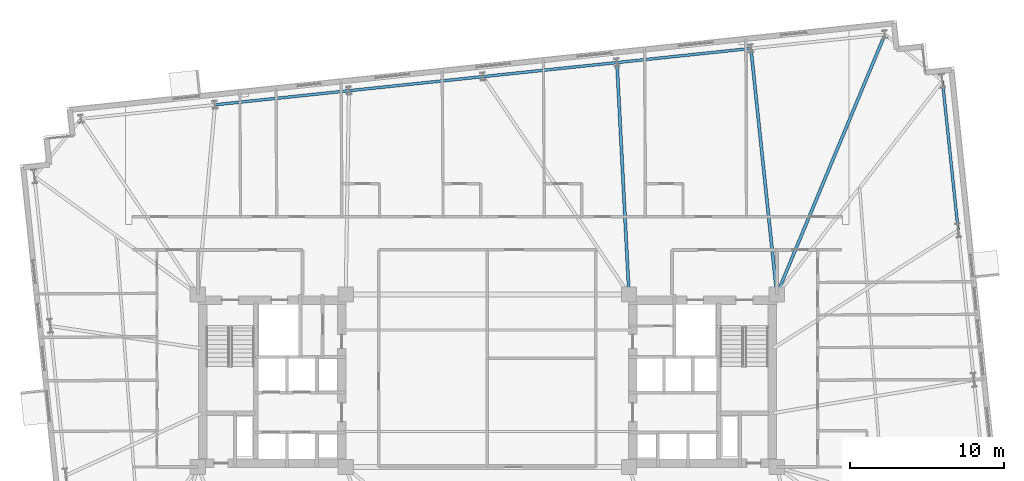
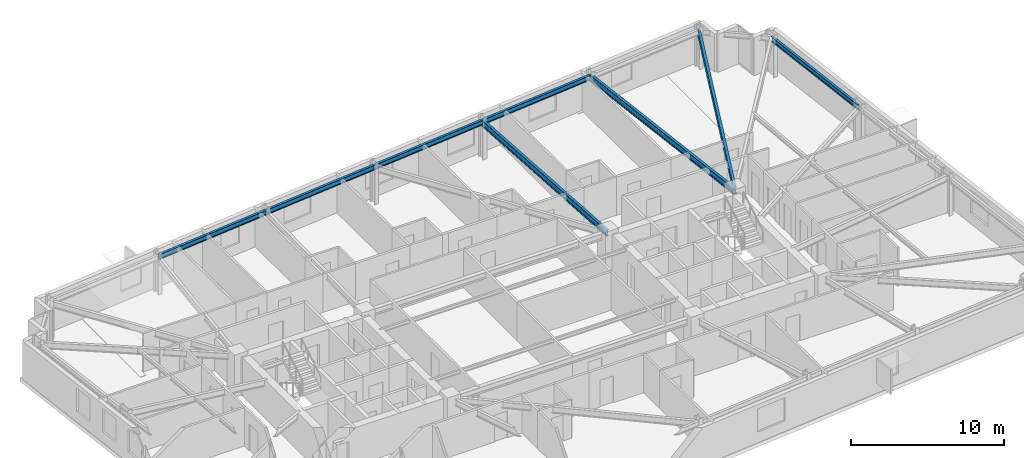
# One storey, part 9 of 20: 8 beams.
"""IFC4 building model written with IfcOpenShell, lengths in metres."""

from ifc_helpers import new_model, si_unit, direction, frame, origin, origin_2d, place, context, subcontext, project, spatial, i_section, extrude, material, material_profile, profile_set, type_object, element, save


model = new_model("IFC4")

# Units and contexts
model_context = context("Model", 3, precision=1e-05, world=origin(), true_north=direction((0.0, 1.0)))
body_context = subcontext(model_context, "Body", "Model", "MODEL_VIEW")
ifc_project = project(units=[si_unit("LENGTHUNIT", "METRE"), si_unit("AREAUNIT", "SQUARE_METRE"), si_unit("VOLUMEUNIT", "CUBIC_METRE"), si_unit("PLANEANGLEUNIT", "RADIAN"), si_unit("MASSUNIT", "GRAM", prefix="KILO")], contexts=[model_context])

# Site, building, storey
site_placement = place(None, origin())
site = spatial("IfcSite", under=ifc_project, at=site_placement, CompositionType="ELEMENT")
building_placement = place(site_placement, origin())
building = spatial("IfcBuilding", under=site, at=building_placement, Name="Qobustan Lattice House", CompositionType="ELEMENT")
storey_placement = place(building_placement, frame((0.0, 0.0, 89.050048828125)))
storey = spatial("IfcBuildingStorey", under=building, at=storey_placement, Name="L24", CompositionType="ELEMENT", Elevation=89.050048828125)

# Beams
ifc_material_1 = material(Name="Steel S355", Category="steel")
ifc_material_profile_1 = material_profile(ifc_material_1, i_section(OverallWidth=0.199951171875, OverallDepth=0.5, WebThickness=0.01025390625, FlangeThickness=0.01611328125, FilletRadius=0.02099609375, at=origin_2d()), Name="IPE500")
ifc_profile_set_1 = profile_set([ifc_material_profile_1], Name="Steel S355")
beam_type_1 = type_object("IfcBeamType", Name="BM-FLG-IPE500", PredefinedType="USERDEFINED", material=ifc_profile_set_1)
beam_1_placement = place(storey_placement, frame((8.41650390625, 20.640625, 2.794921875), z_axis=(0.052023629628, -0.998645854125, 0.0), x_axis=(0.998645854125, 0.052023629628, 0.0)))
element("IfcBeam", 1, at=beam_1_placement, inside=storey, type_object=beam_type_1, Name="L24 primary floor girder RAD-N3", ObjectType="GIRDER", PredefinedType="USERDEFINED", context=body_context, shape_type="SweptSolid", body=[
    extrude(i_section(OverallWidth=0.199951171875, OverallDepth=0.5, WebThickness=0.01025390625, FlangeThickness=0.01611328125, FilletRadius=0.02099609375, at=origin_2d()), origin(), (0.0, 0.0, 1.0), 15.035888671875),
])
beam_2_placement = place(storey_placement, frame((17.1201171875, 21.555419921875, 2.794921875), z_axis=(0.104706999053, -0.994503114298, 0.0), x_axis=(0.994503114298, 0.104706999053, 0.0)))
element("IfcBeam", 2, at=beam_2_placement, inside=storey, type_object=beam_type_1, Name="L24 primary floor girder RAD-N2", ObjectType="GIRDER", PredefinedType="USERDEFINED", context=body_context, shape_type="SweptSolid", body=[
    extrude(i_section(OverallWidth=0.199951171875, OverallDepth=0.5, WebThickness=0.01025390625, FlangeThickness=0.01611328125, FilletRadius=0.02099609375, at=origin_2d()), origin(), (0.0, 0.0, 1.0), 16.0185546875),
])
beam_3_placement = place(storey_placement, frame((25.809814453125, 22.471923828125, 2.794921875), z_axis=(-0.383675501465, -0.923467979724, 0.0), x_axis=(0.923467979724, -0.383675501465, 0.0)))
element("IfcBeam", 3, at=beam_3_placement, inside=storey, type_object=beam_type_1, Name="L24 primary floor girder RAD-N1E", ObjectType="GIRDER", PredefinedType="USERDEFINED", context=body_context, shape_type="SweptSolid", body=[
    extrude(i_section(OverallWidth=0.199951171875, OverallDepth=0.5, WebThickness=0.01025390625, FlangeThickness=0.01611328125, FilletRadius=0.02099609375, at=origin_2d()), origin(), (0.0, 0.0, 1.0), 18.2451171875),
])
ifc_material_2 = material(Name="Steel S355", Category="steel")
ifc_material_profile_2 = material_profile(ifc_material_2, i_section(OverallWidth=0.179931640625, OverallDepth=0.39990234375, WebThickness=0.008544921875, FlangeThickness=0.013427734375, FilletRadius=0.02099609375, at=origin_2d()), Name="IPE400")
ifc_profile_set_2 = profile_set([ifc_material_profile_2], Name="Steel S355")
beam_type_2 = type_object("IfcBeamType", Name="BM-SPD-IPE400", PredefinedType="SPANDREL", material=ifc_profile_set_2)
beam_4_placement = place(storey_placement, frame((30.574462890625, 9.78076171875, 2.844970703125), z_axis=(-0.104525214252, 0.994522236848, 0.0), x_axis=(-0.994522236848, -0.104525214252, 0.0)))
element("IfcBeam", 4, at=beam_4_placement, inside=storey, type_object=beam_type_2, Name="L24 perimeter spandrel E3-E4", PredefinedType="SPANDREL", context=body_context, shape_type="SweptSolid", body=[
    extrude(i_section(OverallWidth=0.179931640625, OverallDepth=0.39990234375, WebThickness=0.008544921875, FlangeThickness=0.013427734375, FilletRadius=0.02099609375, at=origin_2d()), origin(), (0.0, 0.0, 1.0), 9.716552734375),
])
beam_5_placement = place(storey_placement, frame((17.092529296875, 21.577880859375, 2.844970703125), z_axis=(-0.994518668742, -0.104559158006, 0.0), x_axis=(0.104559158006, -0.994518668742, 0.0)))
element("IfcBeam", 5, at=beam_5_placement, inside=storey, type_object=beam_type_2, Name="L24 perimeter spandrel N2-N3", PredefinedType="SPANDREL", context=body_context, shape_type="SweptSolid", body=[
    extrude(i_section(OverallWidth=0.179931640625, OverallDepth=0.39990234375, WebThickness=0.008544921875, FlangeThickness=0.013427734375, FilletRadius=0.02099609375, at=origin_2d()), origin(), (0.0, 0.0, 1.0), 8.699951171875),
])
beam_6_placement = place(storey_placement, frame((8.390380859375, 20.6630859375, 2.844970703125), z_axis=(-0.994521279781, -0.10453432002, 0.0), x_axis=(0.10453432002, -0.994521279781, 0.0)))
element("IfcBeam", 6, at=beam_6_placement, inside=storey, type_object=beam_type_2, Name="L24 perimeter spandrel N3-N4", PredefinedType="SPANDREL", context=body_context, shape_type="SweptSolid", body=[
    extrude(i_section(OverallWidth=0.179931640625, OverallDepth=0.39990234375, WebThickness=0.008544921875, FlangeThickness=0.013427734375, FilletRadius=0.02099609375, at=origin_2d()), origin(), (0.0, 0.0, 1.0), 8.69970703125),
])
for number, where, z_axis, x_axis, name in (
    (7, (-0.3115234375, 19.74853515625, 2.844970703125), (-0.994521586424, -0.104531402636, 0.0), (0.104531402636, -0.994521586424, 0.0), "L24 perimeter spandrel N4-N5"),
    (8, (-9.013671875, 18.833984375, 2.844970703125), (-0.994521586424, -0.104531402636, 0.0), (0.104531402636, -0.994521586424, 0.0), "L24 perimeter spandrel N5-N6"),
):
    element("IfcBeam", number, at=place(storey_placement, frame(where, z_axis=z_axis, x_axis=x_axis)), inside=storey, type_object=beam_type_2, Name=name, PredefinedType="SPANDREL", context=body_context, shape_type="SweptSolid", body=[
        extrude(i_section(OverallWidth=0.179931640625, OverallDepth=0.39990234375, WebThickness=0.008544921875, FlangeThickness=0.013427734375, FilletRadius=0.02099609375, at=origin_2d()), origin(), (0.0, 0.0, 1.0), 8.699951171875),
    ])

save(model, "model.ifc")
